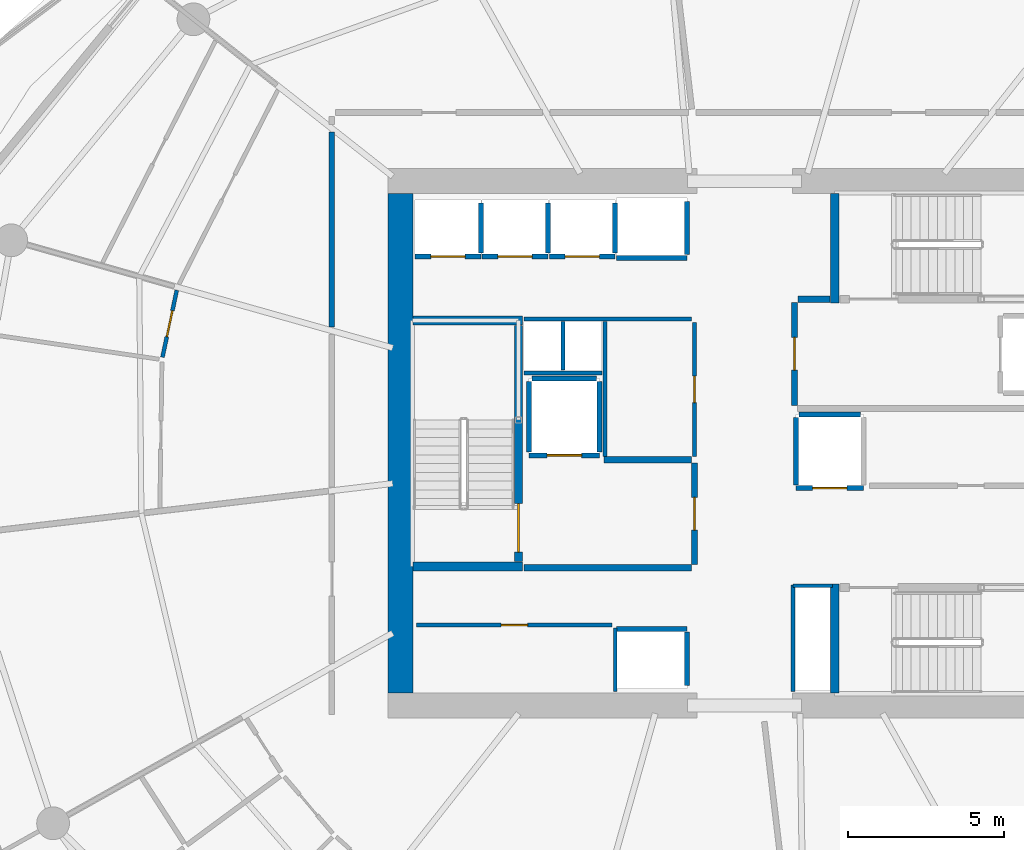
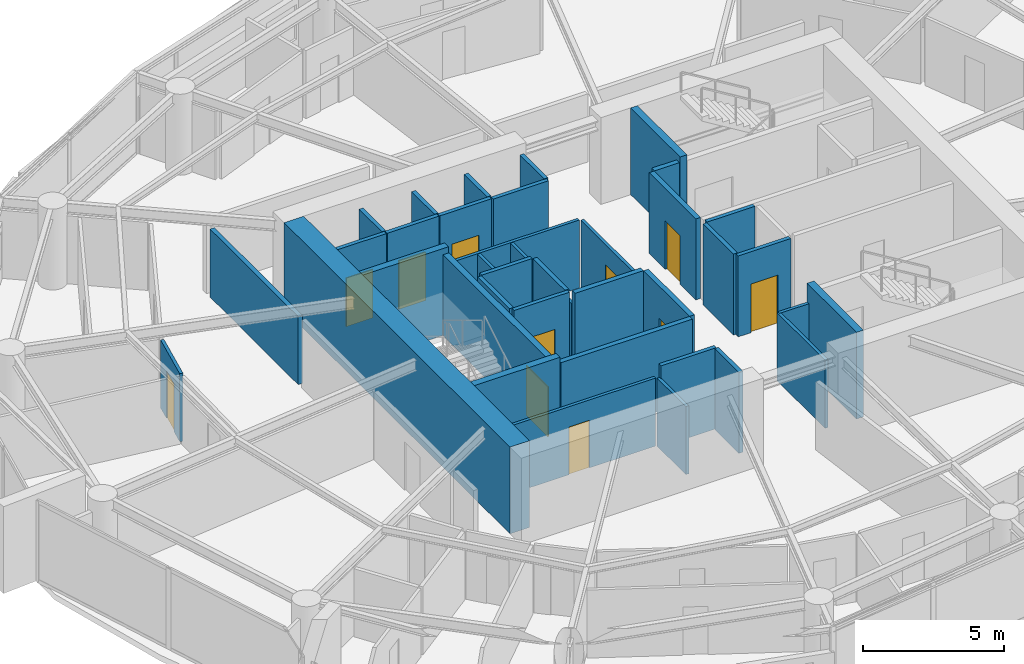
# One storey, part 12 of 20: 39 walls, 11 doors, 11 openings.
"""IFC4 building model written with IfcOpenShell, lengths in metres."""

from ifc_helpers import new_model, si_unit, direction, frame, frame_2d, origin, place, context, subcontext, project, spatial, rectangle, extrude, material, layer, layer_set, type_object, element, fill, save


model = new_model("IFC4")

# Units and contexts
model_context = context("Model", 3, precision=1e-05, world=origin(), true_north=direction((0.0, 1.0)))
body_context = subcontext(model_context, "Body", "Model", "MODEL_VIEW")
ifc_project = project(units=[si_unit("LENGTHUNIT", "METRE"), si_unit("AREAUNIT", "SQUARE_METRE"), si_unit("VOLUMEUNIT", "CUBIC_METRE"), si_unit("PLANEANGLEUNIT", "RADIAN"), si_unit("MASSUNIT", "GRAM", prefix="KILO")], contexts=[model_context])

# Site, building, storey
site_placement = place(None, origin())
site = spatial("IfcSite", under=ifc_project, at=site_placement, CompositionType="ELEMENT")
building_placement = place(site_placement, origin())
building = spatial("IfcBuilding", under=site, at=building_placement, Name="Kazma Halo Residences", CompositionType="ELEMENT")
storey_placement = place(building_placement, frame((0.0, 0.0, 161.550048828125)))
storey = spatial("IfcBuildingStorey", under=building, at=storey_placement, Name="L40", CompositionType="ELEMENT", Elevation=161.550048828125)

# Walls
ifc_material_1 = material(Name="Concrete C80/95", Category="concrete")
ifc_layer_1 = layer(ifc_material_1, 0.800048828125)
ifc_layer_set_1 = layer_set([ifc_layer_1], Name="Concrete C80/95")
wall_type_1 = type_object("IfcWallType", Name="WL-CORE-800", PredefinedType="SHEAR", material=ifc_layer_set_1)
wall_1_placement = place(storey_placement, frame((37.39990234375, 34.0, 0.0), z_axis=(0.0, 0.0, 1.0), x_axis=(0.0, 1.0, 0.0)))
element("IfcWall", 1, at=wall_1_placement, inside=storey, type_object=wall_type_1, Name="L40 central core shear wall W", PredefinedType="SHEAR", context=body_context, shape_type="SweptSolid", body=[
    extrude(rectangle(XDim=16.0, YDim=0.800048828125, at=frame_2d((8.0, 0.0))), origin(), (0.0, 0.0, 1.0), 3.75),
])
ifc_material_2 = material(Name="Concrete C60/75", Category="concrete")
ifc_layer_2 = layer(ifc_material_2, 0.280029296875)
ifc_layer_set_2 = layer_set([ifc_layer_2], Name="Concrete C60/75")
wall_type_2 = type_object("IfcWallType", Name="WL-CORE-ST-280", PredefinedType="SHEAR", material=ifc_layer_set_2)
for number, where, z_axis, x_axis, name in (
    (2, (37.800048828125, 38.06005859375, 0.0), (0.0, 0.0, 1.0), (1.0, 0.0, 0.0), "L40 stairwell bearing wall ST01-S"),
    (3, (37.800048828125, 45.93994140625, 0.0), (0.0, 0.0, 1.0), (1.0, 0.0, 0.0), "L40 stairwell bearing wall ST01-N"),
    (4, (51.31005859375, 46.5, 0.0), (0.0, 0.0, 1.0), (0.0, 1.0, 0.0), "L40 stairwell bearing wall ST02-W"),
    (5, (51.31005859375, 34.0, 0.0), (0.0, 0.0, 1.0), (0.0, 1.0, 0.0), "L40 stairwell bearing wall ST03-W"),
):
    element("IfcWall", number, at=place(storey_placement, frame(where, z_axis=z_axis, x_axis=x_axis)), inside=storey, type_object=wall_type_2, Name=name, PredefinedType="SHEAR", context=body_context, shape_type="SweptSolid", body=[
        extrude(rectangle(XDim=3.5, YDim=0.280029296875, at=frame_2d((1.75, 0.0))), origin(), (0.0, 0.0, 1.0), 3.75),
    ])
ifc_material_3 = material(Name="Acoustic Twin-Stud Gypsum")
ifc_layer_3 = layer(ifc_material_3, 0.179931640625)
ifc_layer_set_3 = layer_set([ifc_layer_3], Name="Acoustic Twin-Stud Gypsum")
wall_type_3 = type_object("IfcWallType", Name="WL-DEM-180", PredefinedType="PARTITIONING", material=ifc_layer_set_3)
wall_2_placement = place(storey_placement, frame((35.199951171875, 51.970703125, 0.0), z_axis=(0.0, 0.0, 1.0), x_axis=(0.0, -1.0, 0.0)))
element("IfcWall", 6, at=wall_2_placement, inside=storey, type_object=wall_type_3, Name="L40 Apartment 1 inner wall 5", PredefinedType="PARTITIONING", context=body_context, shape_type="SweptSolid", body=[
    extrude(rectangle(XDim=6.24072265625, YDim=0.179931640625, at=frame_2d((3.120361328125, 0.0))), origin(), (0.0, 0.0, 1.0), 2.93994140625),
])

# Wall, opening, door
ifc_material_4 = material(Name="Fire-Rated Blockwork Masonry", Category="masonry")
ifc_layer_4 = layer(ifc_material_4, 0.199951171875)
ifc_layer_set_4 = layer_set([ifc_layer_4], Name="Fire-Rated Blockwork Masonry")
wall_type_4 = type_object("IfcWallType", Name="WL-FLB-200", PredefinedType="PARTITIONING", material=ifc_layer_set_4)
wall_3_placement = place(storey_placement, frame((39.97509765625, 47.9951171875, 0.0), z_axis=(0.0, 0.0, 1.0), x_axis=(-1.0, 0.0, 0.0)))
wall_3 = element("IfcWall", 7, at=wall_3_placement, inside=storey, type_object=wall_type_4, Name="L40 lift shaft PM-01 front wall", PredefinedType="PARTITIONING", context=body_context, shape_type="SweptSolid", body=[
    extrude(rectangle(XDim=2.110107421875, YDim=0.159912109375, at=frame_2d((1.05517578125, 0.0))), origin(), (0.0, 0.0, 1.0), 3.5),
])
opening_1_placement = place(wall_3_placement, frame((0.5048828125, 0.0, 0.0)))
opening_1 = element("IfcOpeningElement", 8, at=opening_1_placement, cuts=wall_3, Name="Opening LD-PM-01", PredefinedType="OPENING", context=body_context, shape_type="SweptSolid", body=[
    extrude(rectangle(XDim=1.10009765625, YDim=2.10009765625, at=frame_2d((0.550048828125, 1.050048828125))), frame((0.0, 0.08984375, 0.0), z_axis=(0.0, -1.0, 0.0), x_axis=(1.0, 0.0, 0.0)), (0.0, 0.0, 1.0), 0.179931640625),
])
ifc_material_5 = material(Name="Stainless Steel Fire-Rated", Category="steel")
door_type_1 = type_object("IfcDoorType", Name="DR-LIFT-SLD-1100", OperationType="DOUBLE_DOOR_SLIDING", PredefinedType="DOOR", material=ifc_material_5)
door_1_placement = place(opening_1_placement, origin())
door_1 = element("IfcDoor", 9, at=door_1_placement, inside=storey, type_object=door_type_1, Name="L40 lift PM-01 sliding landing door", OperationType="DOUBLE_DOOR_SLIDING", OverallHeight=2.10009765625, OverallWidth=1.10009765625, PredefinedType="DOOR", context=body_context, shape_type="SweptSolid", body=[
    extrude(rectangle(XDim=1.10009765625, YDim=2.10009765625, at=frame_2d((0.550048828125, 1.050048828125))), frame((0.0, 0.02490234375, 0.0), z_axis=(0.0, -1.0, 0.0), x_axis=(1.0, 0.0, 0.0)), (0.0, 0.0, 1.0), 0.050048828125),
])
fill(opening_1, door_1)

# Wall
wall_4_placement = place(storey_placement, frame((39.97509765625, 48.094970703125, 0.0), z_axis=(0.0, 0.0, 1.0), x_axis=(0.0, 1.0, 0.0)))
element("IfcWall", 10, at=wall_4_placement, inside=storey, type_object=wall_type_4, Name="L40 lift shaft PM-01 side wall E", PredefinedType="PARTITIONING", context=body_context, shape_type="SweptSolid", body=[
    extrude(rectangle(XDim=1.610107421875, YDim=0.159912109375, at=frame_2d((0.80517578125, 0.0))), origin(), (0.0, 0.0, 1.0), 3.5),
])

# Wall, opening, door
wall_5_placement = place(storey_placement, frame((42.125, 47.9951171875, 0.0), z_axis=(0.0, 0.0, 1.0), x_axis=(-1.0, 0.0, 0.0)))
wall_5 = element("IfcWall", 11, at=wall_5_placement, inside=storey, type_object=wall_type_4, Name="L40 lift shaft PM-02 front wall", PredefinedType="PARTITIONING", context=body_context, shape_type="SweptSolid", body=[
    extrude(rectangle(XDim=2.110107421875, YDim=0.159912109375, at=frame_2d((1.05517578125, 0.0))), origin(), (0.0, 0.0, 1.0), 3.5),
])
opening_2_placement = place(wall_5_placement, frame((0.5048828125, 0.0, 0.0)))
opening_2 = element("IfcOpeningElement", 12, at=opening_2_placement, cuts=wall_5, Name="Opening LD-PM-02", PredefinedType="OPENING", context=body_context, shape_type="SweptSolid", body=[
    extrude(rectangle(XDim=1.10009765625, YDim=2.10009765625, at=frame_2d((0.550048828125, 1.050048828125))), frame((0.0, 0.08984375, 0.0), z_axis=(0.0, -1.0, 0.0), x_axis=(1.0, 0.0, 0.0)), (0.0, 0.0, 1.0), 0.179931640625),
])
door_2_placement = place(opening_2_placement, origin())
door_2 = element("IfcDoor", 13, at=door_2_placement, inside=storey, type_object=door_type_1, Name="L40 lift PM-02 sliding landing door", OperationType="DOUBLE_DOOR_SLIDING", OverallHeight=2.10009765625, OverallWidth=1.10009765625, PredefinedType="DOOR", context=body_context, shape_type="SweptSolid", body=[
    extrude(rectangle(XDim=1.10009765625, YDim=2.10009765625, at=frame_2d((0.550048828125, 1.050048828125))), frame((0.0, 0.02490234375, 0.0), z_axis=(0.0, -1.0, 0.0), x_axis=(1.0, 0.0, 0.0)), (0.0, 0.0, 1.0), 0.050048828125),
])
fill(opening_2, door_2)

# Wall
wall_6_placement = place(storey_placement, frame((42.125, 48.094970703125, 0.0), z_axis=(0.0, 0.0, 1.0), x_axis=(0.0, 1.0, 0.0)))
element("IfcWall", 14, at=wall_6_placement, inside=storey, type_object=wall_type_4, Name="L40 lift shaft PM-02 side wall E", PredefinedType="PARTITIONING", context=body_context, shape_type="SweptSolid", body=[
    extrude(rectangle(XDim=1.610107421875, YDim=0.159912109375, at=frame_2d((0.80517578125, 0.0))), origin(), (0.0, 0.0, 1.0), 3.5),
])

# Wall, opening, door
wall_7_placement = place(storey_placement, frame((44.27490234375, 47.9951171875, 0.0), z_axis=(0.0, 0.0, 1.0), x_axis=(-1.0, 0.0, 0.0)))
wall_7 = element("IfcWall", 15, at=wall_7_placement, inside=storey, type_object=wall_type_4, Name="L40 lift shaft PM-03 front wall", PredefinedType="PARTITIONING", context=body_context, shape_type="SweptSolid", body=[
    extrude(rectangle(XDim=2.10986328125, YDim=0.159912109375, at=frame_2d((1.054931640625, 0.0))), origin(), (0.0, 0.0, 1.0), 3.5),
])
opening_3_placement = place(wall_7_placement, frame((0.5048828125, 0.0, 0.0)))
opening_3 = element("IfcOpeningElement", 16, at=opening_3_placement, cuts=wall_7, Name="Opening LD-PM-03", PredefinedType="OPENING", context=body_context, shape_type="SweptSolid", body=[
    extrude(rectangle(XDim=1.10009765625, YDim=2.10009765625, at=frame_2d((0.550048828125, 1.050048828125))), frame((0.0, 0.08984375, 0.0), z_axis=(0.0, -1.0, 0.0), x_axis=(1.0, 0.0, 0.0)), (0.0, 0.0, 1.0), 0.179931640625),
])
door_3_placement = place(opening_3_placement, origin())
door_3 = element("IfcDoor", 17, at=door_3_placement, inside=storey, type_object=door_type_1, Name="L40 lift PM-03 sliding landing door", OperationType="DOUBLE_DOOR_SLIDING", OverallHeight=2.10009765625, OverallWidth=1.10009765625, PredefinedType="DOOR", context=body_context, shape_type="SweptSolid", body=[
    extrude(rectangle(XDim=1.10009765625, YDim=2.10009765625, at=frame_2d((0.550048828125, 1.050048828125))), frame((0.0, 0.02490234375, 0.0), z_axis=(0.0, -1.0, 0.0), x_axis=(1.0, 0.0, 0.0)), (0.0, 0.0, 1.0), 0.050048828125),
])
fill(opening_3, door_3)

# Walls
wall_8_placement = place(storey_placement, frame((44.27490234375, 48.094970703125, 0.0), z_axis=(0.0, 0.0, 1.0), x_axis=(0.0, 1.0, 0.0)))
element("IfcWall", 18, at=wall_8_placement, inside=storey, type_object=wall_type_4, Name="L40 lift shaft PM-03 side wall E", PredefinedType="PARTITIONING", context=body_context, shape_type="SweptSolid", body=[
    extrude(rectangle(XDim=1.610107421875, YDim=0.159912109375, at=frame_2d((0.80517578125, 0.0))), origin(), (0.0, 0.0, 1.0), 3.5),
])
wall_9_placement = place(storey_placement, frame((46.580078125, 47.945068359375, 0.0), z_axis=(0.0, 0.0, 1.0), x_axis=(-1.0, 0.0, 0.0)))
element("IfcWall", 19, at=wall_9_placement, inside=storey, type_object=wall_type_4, Name="L40 lift shaft PX-01 front wall", PredefinedType="PARTITIONING", context=body_context, shape_type="SweptSolid", body=[
    extrude(rectangle(XDim=2.260009765625, YDim=0.159912109375, at=frame_2d((1.1298828125, 0.0))), origin(), (0.0, 0.0, 1.0), 3.5),
])
wall_10_placement = place(storey_placement, frame((46.580078125, 48.044921875, 0.0), z_axis=(0.0, 0.0, 1.0), x_axis=(0.0, 1.0, 0.0)))
element("IfcWall", 20, at=wall_10_placement, inside=storey, type_object=wall_type_4, Name="L40 lift shaft PX-01 side wall E", PredefinedType="PARTITIONING", context=body_context, shape_type="SweptSolid", body=[
    extrude(rectangle(XDim=1.7099609375, YDim=0.159912109375, at=frame_2d((0.85498046875, 0.0))), origin(), (0.0, 0.0, 1.0), 3.5),
])
wall_11_placement = place(storey_placement, frame((44.320068359375, 36.054931640625, 0.0), z_axis=(0.0, 0.0, 1.0), x_axis=(1.0, 0.0, 0.0)))
element("IfcWall", 21, at=wall_11_placement, inside=storey, type_object=wall_type_4, Name="L40 lift shaft PX-02 front wall", PredefinedType="PARTITIONING", context=body_context, shape_type="SweptSolid", body=[
    extrude(rectangle(XDim=2.260009765625, YDim=0.159912109375, at=frame_2d((1.1298828125, 0.0))), origin(), (0.0, 0.0, 1.0), 3.5),
])
wall_12_placement = place(storey_placement, frame((46.580078125, 34.2451171875, 0.0), z_axis=(0.0, 0.0, 1.0), x_axis=(0.0, 1.0, 0.0)))
element("IfcWall", 22, at=wall_12_placement, inside=storey, type_object=wall_type_4, Name="L40 lift shaft PX-02 side wall E", PredefinedType="PARTITIONING", context=body_context, shape_type="SweptSolid", body=[
    extrude(rectangle(XDim=1.7099609375, YDim=0.159912109375, at=frame_2d((0.85498046875, 0.0))), origin(), (0.0, 0.0, 1.0), 3.5),
])

# Wall, opening, door
wall_13_placement = place(storey_placement, frame((43.780029296875, 41.6201171875, 0.0), z_axis=(0.0, 0.0, 1.0), x_axis=(-1.0, 0.0, 0.0)))
wall_13 = element("IfcWall", 23, at=wall_13_placement, inside=storey, type_object=wall_type_4, Name="L40 lift shaft FL-01 front wall", PredefinedType="PARTITIONING", context=body_context, shape_type="SweptSolid", body=[
    extrude(rectangle(XDim=2.260009765625, YDim=0.159912109375, at=frame_2d((1.1298828125, 0.0))), origin(), (0.0, 0.0, 1.0), 3.5),
])
opening_4_placement = place(wall_13_placement, frame((0.580078125, 0.0, 0.0)))
opening_4 = element("IfcOpeningElement", 24, at=opening_4_placement, cuts=wall_13, Name="Opening LD-FL-01", PredefinedType="OPENING", context=body_context, shape_type="SweptSolid", body=[
    extrude(rectangle(XDim=1.10009765625, YDim=2.10009765625, at=frame_2d((0.550048828125, 1.050048828125))), frame((0.0, 0.08984375, 0.0), z_axis=(0.0, -1.0, 0.0), x_axis=(1.0, 0.0, 0.0)), (0.0, 0.0, 1.0), 0.179931640625),
])
door_4_placement = place(opening_4_placement, origin())
door_4 = element("IfcDoor", 25, at=door_4_placement, inside=storey, type_object=door_type_1, Name="L40 lift FL-01 sliding landing door", OperationType="DOUBLE_DOOR_SLIDING", OverallHeight=2.10009765625, OverallWidth=1.10009765625, PredefinedType="DOOR", context=body_context, shape_type="SweptSolid", body=[
    extrude(rectangle(XDim=1.10009765625, YDim=2.10009765625, at=frame_2d((0.550048828125, 1.050048828125))), frame((0.0, 0.02490234375, 0.0), z_axis=(0.0, -1.0, 0.0), x_axis=(1.0, 0.0, 0.0)), (0.0, 0.0, 1.0), 0.050048828125),
])
fill(opening_4, door_4)

# Walls
for number, where, z_axis, x_axis, name in (
    (26, (43.780029296875, 41.719970703125, 0.0), (0.0, 0.0, 1.0), (0.0, 1.0, 0.0), "L40 lift shaft FL-01 side wall E"),
    (27, (41.52001953125, 41.719970703125, 0.0), (0.0, 0.0, 1.0), (0.0, 1.0, 0.0), "L40 lift shaft FL-01 side wall W"),
):
    element("IfcWall", number, at=place(storey_placement, frame(where, z_axis=z_axis, x_axis=x_axis)), inside=storey, type_object=wall_type_4, Name=name, PredefinedType="PARTITIONING", context=body_context, shape_type="SweptSolid", body=[
        extrude(rectangle(XDim=2.260009765625, YDim=0.159912109375, at=frame_2d((1.1298828125, 0.0))), origin(), (0.0, 0.0, 1.0), 3.5),
    ])
wall_14_placement = place(storey_placement, frame((41.6201171875, 44.080078125, 0.0), z_axis=(0.0, 0.0, 1.0), x_axis=(1.0, 0.0, 0.0)))
element("IfcWall", 28, at=wall_14_placement, inside=storey, type_object=wall_type_4, Name="L40 lift shaft FL-01 side wall N", PredefinedType="PARTITIONING", context=body_context, shape_type="SweptSolid", body=[
    extrude(rectangle(XDim=2.059814453125, YDim=0.159912109375, at=frame_2d((1.02978515625, 0.0))), origin(), (0.0, 0.0, 1.0), 3.5),
])

# Wall, opening, door
wall_15_placement = place(storey_placement, frame((52.22998046875, 40.570068359375, 0.0), z_axis=(0.0, 0.0, 1.0), x_axis=(-1.0, 0.0, 0.0)))
wall_15 = element("IfcWall", 29, at=wall_15_placement, inside=storey, type_object=wall_type_4, Name="L40 lift shaft SV-01 front wall", PredefinedType="PARTITIONING", context=body_context, shape_type="SweptSolid", body=[
    extrude(rectangle(XDim=2.159912109375, YDim=0.159912109375, at=frame_2d((1.080078125, 0.0))), origin(), (0.0, 0.0, 1.0), 3.5),
])
opening_5_placement = place(wall_15_placement, frame((0.530029296875, 0.0, 0.0)))
opening_5 = element("IfcOpeningElement", 30, at=opening_5_placement, cuts=wall_15, Name="Opening LD-SV-01", PredefinedType="OPENING", context=body_context, shape_type="SweptSolid", body=[
    extrude(rectangle(XDim=1.10009765625, YDim=2.10009765625, at=frame_2d((0.550048828125, 1.050048828125))), frame((0.0, 0.08984375, 0.0), z_axis=(0.0, -1.0, 0.0), x_axis=(1.0, 0.0, 0.0)), (0.0, 0.0, 1.0), 0.179931640625),
])
door_5_placement = place(opening_5_placement, origin())
door_5 = element("IfcDoor", 31, at=door_5_placement, inside=storey, type_object=door_type_1, Name="L40 lift SV-01 sliding landing door", OperationType="DOUBLE_DOOR_SLIDING", OverallHeight=2.10009765625, OverallWidth=1.10009765625, PredefinedType="DOOR", context=body_context, shape_type="SweptSolid", body=[
    extrude(rectangle(XDim=1.10009765625, YDim=2.10009765625, at=frame_2d((0.550048828125, 1.050048828125))), frame((0.0, 0.02490234375, 0.0), z_axis=(0.0, -1.0, 0.0), x_axis=(1.0, 0.0, 0.0)), (0.0, 0.0, 1.0), 0.050048828125),
])
fill(opening_5, door_5)

# Walls
wall_16_placement = place(storey_placement, frame((50.070068359375, 40.669921875, 0.0), z_axis=(0.0, 0.0, 1.0), x_axis=(0.0, 1.0, 0.0)))
element("IfcWall", 32, at=wall_16_placement, inside=storey, type_object=wall_type_4, Name="L40 lift shaft SV-01 side wall W", PredefinedType="PARTITIONING", context=body_context, shape_type="SweptSolid", body=[
    extrude(rectangle(XDim=2.16015625, YDim=0.159912109375, at=frame_2d((1.080078125, 0.0))), origin(), (0.0, 0.0, 1.0), 3.5),
])
wall_17_placement = place(storey_placement, frame((50.169921875, 42.929931640625, 0.0), z_axis=(0.0, 0.0, 1.0), x_axis=(1.0, 0.0, 0.0)))
element("IfcWall", 33, at=wall_17_placement, inside=storey, type_object=wall_type_4, Name="L40 lift shaft SV-01 side wall N", PredefinedType="PARTITIONING", context=body_context, shape_type="SweptSolid", body=[
    extrude(rectangle(XDim=1.9599609375, YDim=0.159912109375, at=frame_2d((0.97998046875, 0.0))), origin(), (0.0, 0.0, 1.0), 3.5),
])
wall_18_placement = place(storey_placement, frame((41.35009765625, 38.02001953125, 0.0), z_axis=(0.0, 0.0, 1.0), x_axis=(1.0, 0.0, 0.0)))
element("IfcWall", 34, at=wall_18_placement, inside=storey, type_object=wall_type_4, Name="L40 west firefighting lobby south smoke wall", PredefinedType="PARTITIONING", context=body_context, shape_type="SweptSolid", body=[
    extrude(rectangle(XDim=5.369873046875, YDim=0.199951171875, at=frame_2d((2.68505859375, 0.0))), origin(), (0.0, 0.0, 1.0), 3.5),
])
wall_19_placement = place(storey_placement, frame((43.919921875, 41.47998046875, 0.0), z_axis=(0.0, 0.0, 1.0), x_axis=(1.0, 0.0, 0.0)))
element("IfcWall", 35, at=wall_19_placement, inside=storey, type_object=wall_type_4, Name="L40 west firefighting lobby north smoke wall", PredefinedType="PARTITIONING", context=body_context, shape_type="SweptSolid", body=[
    extrude(rectangle(XDim=2.800048828125, YDim=0.199951171875, at=frame_2d((1.39990234375, 0.0))), origin(), (0.0, 0.0, 1.0), 3.5),
])

# Wall, opening, door
wall_20_placement = place(storey_placement, frame((46.820068359375, 38.1201171875, 0.0), z_axis=(0.0, 0.0, 1.0), x_axis=(0.0, 1.0, 0.0)))
wall_20 = element("IfcWall", 36, at=wall_20_placement, inside=storey, type_object=wall_type_4, Name="L40 west firefighting lobby smoke wall", PredefinedType="PARTITIONING", context=body_context, shape_type="SweptSolid", body=[
    extrude(rectangle(XDim=3.259765625, YDim=0.199951171875, at=frame_2d((1.6298828125, 0.0))), origin(), (0.0, 0.0, 1.0), 3.5),
])
opening_6_placement = place(wall_20_placement, frame((1.10498046875, 0.0, 0.0)))
opening_6 = element("IfcOpeningElement", 37, at=opening_6_placement, cuts=wall_20, Name="Opening D-FLW", PredefinedType="OPENING", context=body_context, shape_type="SweptSolid", body=[
    extrude(rectangle(XDim=1.050048828125, YDim=2.10009765625, at=frame_2d((0.52490234375, 1.050048828125))), frame((0.0, 0.10986328125, 0.0), z_axis=(0.0, -1.0, 0.0), x_axis=(1.0, 0.0, 0.0)), (0.0, 0.0, 1.0), 0.219970703125),
])
ifc_material_6 = material(Name="Fire-Rated Steel Leaf", Category="steel")
door_type_2 = type_object("IfcDoorType", Name="DR-FD90-1050", OperationType="NOTDEFINED", PredefinedType="DOOR", material=ifc_material_6)
door_6_placement = place(opening_6_placement, origin())
door_6 = element("IfcDoor", 38, at=door_6_placement, inside=storey, type_object=door_type_2, Name="L40 west firefighting lobby smoke door", OperationType="SINGLE_SWING_LEFT", OverallHeight=2.10009765625, OverallWidth=1.050048828125, PredefinedType="DOOR", context=body_context, shape_type="SweptSolid", body=[
    extrude(rectangle(XDim=1.050048828125, YDim=2.10009765625, at=frame_2d((0.52490234375, 1.050048828125))), frame((0.0, 0.02490234375, 0.0), z_axis=(0.0, -1.0, 0.0), x_axis=(1.0, 0.0, 0.0)), (0.0, 0.0, 1.0), 0.050048828125),
])
fill(opening_6, door_6)

# Wall
wall_21_placement = place(storey_placement, frame((50.139892578125, 46.6201171875, 0.0), z_axis=(0.0, 0.0, 1.0), x_axis=(1.0, 0.0, 0.0)))
element("IfcWall", 39, at=wall_21_placement, inside=storey, type_object=wall_type_4, Name="L40 east firefighting lobby north closure wall", PredefinedType="PARTITIONING", context=body_context, shape_type="SweptSolid", body=[
    extrude(rectangle(XDim=1.02001953125, YDim=0.199951171875, at=frame_2d((0.510009765625, 0.0))), origin(), (0.0, 0.0, 1.0), 3.5),
])

# Wall, opening, door
wall_22_placement = place(storey_placement, frame((50.02001953125, 43.219970703125, 0.0), z_axis=(0.0, 0.0, 1.0), x_axis=(0.0, 1.0, 0.0)))
wall_22 = element("IfcWall", 40, at=wall_22_placement, inside=storey, type_object=wall_type_4, Name="L40 east firefighting lobby smoke wall", PredefinedType="PARTITIONING", context=body_context, shape_type="SweptSolid", body=[
    extrude(rectangle(XDim=3.300048828125, YDim=0.199951171875, at=frame_2d((1.64990234375, 0.0))), origin(), (0.0, 0.0, 1.0), 3.5),
])
opening_7_placement = place(wall_22_placement, frame((1.125, 0.0, 0.0)))
opening_7 = element("IfcOpeningElement", 41, at=opening_7_placement, cuts=wall_22, Name="Opening D-FLE", PredefinedType="OPENING", context=body_context, shape_type="SweptSolid", body=[
    extrude(rectangle(XDim=1.050048828125, YDim=2.10009765625, at=frame_2d((0.52490234375, 1.050048828125))), frame((0.0, 0.10986328125, 0.0), z_axis=(0.0, -1.0, 0.0), x_axis=(1.0, 0.0, 0.0)), (0.0, 0.0, 1.0), 0.219970703125),
])
door_7_placement = place(opening_7_placement, origin())
door_7 = element("IfcDoor", 42, at=door_7_placement, inside=storey, type_object=door_type_2, Name="L40 east firefighting lobby smoke door", OperationType="SINGLE_SWING_RIGHT", OverallHeight=2.10009765625, OverallWidth=1.050048828125, PredefinedType="DOOR", context=body_context, shape_type="SweptSolid", body=[
    extrude(rectangle(XDim=1.050048828125, YDim=2.10009765625, at=frame_2d((0.52490234375, 1.050048828125))), frame((0.0, 0.02490234375, 0.0), z_axis=(0.0, -1.0, 0.0), x_axis=(1.0, 0.0, 0.0)), (0.0, 0.0, 1.0), 0.050048828125),
])
fill(opening_7, door_7)

# Wall
ifc_material_7 = material(Name="Gypsum Plasterboard Partition")
ifc_layer_5 = layer(ifc_material_7, 0.125)
ifc_layer_set_5 = layer_set([ifc_layer_5], Name="Gypsum Plasterboard Partition")
wall_type_5 = type_object("IfcWallType", Name="WL-PART-125", PredefinedType="PARTITIONING", material=ifc_layer_set_5)
wall_23_placement = place(storey_placement, frame((44.280029296875, 34.050048828125, 0.0), z_axis=(0.0, 0.0, 1.0), x_axis=(0.0, 1.0, 0.0)))
element("IfcWall", 43, at=wall_23_placement, inside=storey, type_object=wall_type_5, Name="L40 reclaimed south east wall", PredefinedType="PARTITIONING", context=body_context, shape_type="SweptSolid", body=[
    extrude(rectangle(XDim=2.030029296875, YDim=0.125, at=frame_2d((1.01513671875, 0.0))), origin(), (0.0, 0.0, 1.0), 2.93994140625),
])

# Wall, opening, door
wall_24_placement = place(storey_placement, frame((37.919921875, 36.179931640625, 0.0), z_axis=(0.0, 0.0, 1.0), x_axis=(1.0, 0.0, 0.0)))
wall_24 = element("IfcWall", 44, at=wall_24_placement, inside=storey, type_object=wall_type_5, Name="L40 reclaimed south front wall", PredefinedType="PARTITIONING", context=body_context, shape_type="SweptSolid", body=[
    extrude(rectangle(XDim=6.260009765625, YDim=0.125, at=frame_2d((3.1298828125, 0.0))), origin(), (0.0, 0.0, 1.0), 2.93994140625),
])
opening_8_placement = place(wall_24_placement, frame((2.705078125, 0.0, 0.0)))
opening_8 = element("IfcOpeningElement", 45, at=opening_8_placement, cuts=wall_24, Name="Opening DS-850", PredefinedType="OPENING", context=body_context, shape_type="SweptSolid", body=[
    extrude(rectangle(XDim=0.85009765625, YDim=2.06005859375, at=frame_2d((0.425048828125, 1.030029296875))), frame((0.0, 0.072509765625, 0.0), z_axis=(0.0, -1.0, 0.0), x_axis=(1.0, 0.0, 0.0)), (0.0, 0.0, 1.0), 0.14501953125),
])
ifc_material_8 = material(Name="Painted Steel Access Leaf", Category="steel")
door_type_3 = type_object("IfcDoorType", Name="DR-SVC-850", OperationType="NOTDEFINED", PredefinedType="DOOR", material=ifc_material_8)
door_8_placement = place(opening_8_placement, origin())
door_8 = element("IfcDoor", 46, at=door_8_placement, inside=storey, type_object=door_type_3, Name="L40 reclaimed south service door", OperationType="SINGLE_SWING_LEFT", OverallHeight=2.06005859375, OverallWidth=0.85009765625, PredefinedType="DOOR", context=body_context, shape_type="SweptSolid", body=[
    extrude(rectangle(XDim=0.85009765625, YDim=2.06005859375, at=frame_2d((0.425048828125, 1.030029296875))), frame((0.0, 0.02490234375, 0.0), z_axis=(0.0, -1.0, 0.0), x_axis=(1.0, 0.0, 0.0)), (0.0, 0.0, 1.0), 0.050048828125),
])
fill(opening_8, door_8)

# Walls
wall_25_placement = place(storey_placement, frame((41.360107421875, 45.97998046875, 0.0), z_axis=(0.0, 0.0, 1.0), x_axis=(1.0, 0.0, 0.0)))
element("IfcWall", 47, at=wall_25_placement, inside=storey, type_object=wall_type_5, Name="L40 core north riser wall", PredefinedType="PARTITIONING", context=body_context, shape_type="SweptSolid", body=[
    extrude(rectangle(XDim=5.35986328125, YDim=0.125, at=frame_2d((2.679931640625, 0.0))), origin(), (0.0, 0.0, 1.0), 2.93994140625),
])
wall_26_placement = place(storey_placement, frame((41.360107421875, 44.260009765625, 0.0), z_axis=(0.0, 0.0, 1.0), x_axis=(1.0, 0.0, 0.0)))
element("IfcWall", 48, at=wall_26_placement, inside=storey, type_object=wall_type_5, Name="L40 core riser south wall", PredefinedType="PARTITIONING", context=body_context, shape_type="SweptSolid", body=[
    extrude(rectangle(XDim=2.5, YDim=0.125, at=frame_2d((1.25, 0.0))), origin(), (0.0, 0.0, 1.0), 2.93994140625),
])
wall_27_placement = place(storey_placement, frame((42.60009765625, 44.35009765625, 0.0), z_axis=(0.0, 0.0, 1.0), x_axis=(0.0, 1.0, 0.0)))
element("IfcWall", 49, at=wall_27_placement, inside=storey, type_object=wall_type_5, Name="L40 core riser divider wall", PredefinedType="PARTITIONING", context=body_context, shape_type="SweptSolid", body=[
    extrude(rectangle(XDim=1.5498046875, YDim=0.125, at=frame_2d((0.77490234375, 0.0))), origin(), (0.0, 0.0, 1.0), 2.93994140625),
])
wall_28_placement = place(storey_placement, frame((49.97998046875, 34.06005859375, 0.0), z_axis=(0.0, 0.0, 1.0), x_axis=(0.0, 1.0, 0.0)))
element("IfcWall", 50, at=wall_28_placement, inside=storey, type_object=wall_type_5, Name="L40 standpipe riser wall", PredefinedType="PARTITIONING", context=body_context, shape_type="SweptSolid", body=[
    extrude(rectangle(XDim=3.39990234375, YDim=0.125, at=frame_2d((1.699951171875, 0.0))), origin(), (0.0, 0.0, 1.0), 2.93994140625),
])
wall_29_placement = place(storey_placement, frame((49.97998046875, 37.43994140625, 0.0), z_axis=(0.0, 0.0, 1.0), x_axis=(1.0, 0.0, 0.0)))
element("IfcWall", 51, at=wall_29_placement, inside=storey, type_object=wall_type_5, Name="L40 standpipe riser north wall", PredefinedType="PARTITIONING", context=body_context, shape_type="SweptSolid", body=[
    extrude(rectangle(XDim=1.260009765625, YDim=0.125, at=frame_2d((0.6298828125, 0.0))), origin(), (0.0, 0.0, 1.0), 2.93994140625),
])
wall_30_placement = place(storey_placement, frame((43.949951171875, 41.580078125, 0.0), z_axis=(0.0, 0.0, 1.0), x_axis=(0.0, 1.0, 0.0)))
element("IfcWall", 52, at=wall_30_placement, inside=storey, type_object=wall_type_5, Name="L40 core service west wall", PredefinedType="PARTITIONING", context=body_context, shape_type="SweptSolid", body=[
    extrude(rectangle(XDim=4.31982421875, YDim=0.125, at=frame_2d((2.159912109375, 0.0))), origin(), (0.0, 0.0, 1.0), 2.93994140625),
])

# Wall, opening, door
wall_31_placement = place(storey_placement, frame((46.820068359375, 41.580078125, 0.0), z_axis=(0.0, 0.0, 1.0), x_axis=(0.0, 1.0, 0.0)))
wall_31 = element("IfcWall", 53, at=wall_31_placement, inside=storey, type_object=wall_type_5, Name="L40 core service room east wall", PredefinedType="PARTITIONING", context=body_context, shape_type="SweptSolid", body=[
    extrude(rectangle(XDim=4.2998046875, YDim=0.125, at=frame_2d((2.14990234375, 0.0))), origin(), (0.0, 0.0, 1.0), 2.93994140625),
])
opening_9_placement = place(wall_31_placement, frame((1.72509765625, 0.0, 0.0)))
opening_9 = element("IfcOpeningElement", 54, at=opening_9_placement, cuts=wall_31, Name="Opening DS-850", PredefinedType="OPENING", context=body_context, shape_type="SweptSolid", body=[
    extrude(rectangle(XDim=0.85009765625, YDim=2.06005859375, at=frame_2d((0.425048828125, 1.030029296875))), frame((0.0, 0.072509765625, 0.0), z_axis=(0.0, -1.0, 0.0), x_axis=(1.0, 0.0, 0.0)), (0.0, 0.0, 1.0), 0.14501953125),
])
door_9_placement = place(opening_9_placement, origin())
door_9 = element("IfcDoor", 55, at=door_9_placement, inside=storey, type_object=door_type_3, Name="L40 core service room door", OperationType="SINGLE_SWING_LEFT", OverallHeight=2.06005859375, OverallWidth=0.85009765625, PredefinedType="DOOR", context=body_context, shape_type="SweptSolid", body=[
    extrude(rectangle(XDim=0.85009765625, YDim=2.06005859375, at=frame_2d((0.425048828125, 1.030029296875))), frame((0.0, 0.02490234375, 0.0), z_axis=(0.0, -1.0, 0.0), x_axis=(1.0, 0.0, 0.0)), (0.0, 0.0, 1.0), 0.050048828125),
])
fill(opening_9, door_9)

wall_32_placement = place(storey_placement, frame((30.232421875, 46.9072265625, 0.0), z_axis=(0.0, 0.0, 1.0), x_axis=(-0.208920938613, -0.977932534181, 0.0)))
wall_32 = element("IfcWall", 56, at=wall_32_placement, inside=storey, type_object=wall_type_5, Name="L40 Apartment 1 North Wine Pantry Store hall wall", PredefinedType="PARTITIONING", context=body_context, shape_type="SweptSolid", body=[
    extrude(rectangle(XDim=2.193359375, YDim=0.125, at=frame_2d((1.0966796875, 0.0))), origin(), (0.0, 0.0, 1.0), 2.93994140625),
])
opening_10_placement = place(wall_32_placement, frame((0.671630859375, 0.0, 0.0)))
opening_10 = element("IfcOpeningElement", 57, at=opening_10_placement, cuts=wall_32, Name="Opening DB-900", PredefinedType="OPENING", context=body_context, shape_type="SweptSolid", body=[
    extrude(rectangle(XDim=0.85009765625, YDim=2.06005859375, at=frame_2d((0.425048828125, 1.030029296875))), frame((0.0, 0.072509765625, 0.0), z_axis=(0.0, -1.0, 0.0), x_axis=(1.0, 0.0, 0.0)), (0.0, 0.0, 1.0), 0.14501953125),
])
ifc_material_9 = material(Name="Moisture-Sealed Timber Leaf", Category="wood")
door_type_4 = type_object("IfcDoorType", Name="DR-BTH-900", OperationType="NOTDEFINED", PredefinedType="DOOR", material=ifc_material_9)
door_10_placement = place(opening_10_placement, origin())
door_10 = element("IfcDoor", 58, at=door_10_placement, inside=storey, type_object=door_type_4, Name="L40 Apartment 1 North Wine Pantry Store door", OperationType="SINGLE_SWING_LEFT", OverallHeight=2.06005859375, OverallWidth=0.85009765625, PredefinedType="DOOR", context=body_context, shape_type="SweptSolid", body=[
    extrude(rectangle(XDim=0.85009765625, YDim=2.06005859375, at=frame_2d((0.425048828125, 1.030029296875))), frame((0.0, 0.02490234375, 0.0), z_axis=(0.0, -1.0, 0.0), x_axis=(1.0, 0.0, 0.0)), (0.0, 0.0, 1.0), 0.050048828125),
])
fill(opening_10, door_10)

ifc_material_10 = material(Name="Concrete C50/60", Category="concrete")
ifc_layer_6 = layer(ifc_material_10, 0.25)
ifc_layer_set_6 = layer_set([ifc_layer_6], Name="Concrete C50/60")
wall_type_6 = type_object("IfcWallType", Name="WL-SHF-250", PredefinedType="SOLIDWALL", material=ifc_layer_set_6)
wall_33_placement = place(storey_placement, frame((41.179931640625, 38.219970703125, 0.0), z_axis=(0.0, 0.0, 1.0), x_axis=(0.0, 1.0, 0.0)))
wall_33 = element("IfcWall", 59, at=wall_33_placement, inside=storey, type_object=wall_type_6, Name="L40 exit stair ST-01 enclosure wall", PredefinedType="SOLIDWALL", context=body_context, shape_type="SweptSolid", body=[
    extrude(rectangle(XDim=7.56005859375, YDim=0.25, at=frame_2d((3.780029296875, 0.0))), origin(), (0.0, 0.0, 1.0), 3.5),
])
opening_11_placement = place(wall_33_placement, frame((0.300048828125, 0.0, 0.0)))
opening_11 = element("IfcOpeningElement", 60, at=opening_11_placement, cuts=wall_33, Name="Opening D-ST1", PredefinedType="OPENING", context=body_context, shape_type="SweptSolid", body=[
    extrude(rectangle(XDim=1.550048828125, YDim=2.14990234375, at=frame_2d((0.77490234375, 1.074951171875))), frame((0.0, 0.135009765625, 0.0), z_axis=(0.0, -1.0, 0.0), x_axis=(1.0, 0.0, 0.0)), (0.0, 0.0, 1.0), 0.27001953125),
])
ifc_material_11 = material(Name="Fire-Rated Double Steel Leaf", Category="steel")
door_type_5 = type_object("IfcDoorType", Name="DR-FD90-1550", OperationType="NOTDEFINED", PredefinedType="DOOR", material=ifc_material_11)
door_11_placement = place(opening_11_placement, origin())
door_11 = element("IfcDoor", 61, at=door_11_placement, inside=storey, type_object=door_type_5, Name="L40 exit stair ST-01 fire door", OperationType="DOUBLE_DOOR_SINGLE_SWING", OverallHeight=2.14990234375, OverallWidth=1.550048828125, PredefinedType="DOOR", context=body_context, shape_type="SweptSolid", body=[
    extrude(rectangle(XDim=1.550048828125, YDim=2.14990234375, at=frame_2d((0.77490234375, 1.074951171875))), frame((0.0, 0.02490234375, 0.0), z_axis=(0.0, -1.0, 0.0), x_axis=(1.0, 0.0, 0.0)), (0.0, 0.0, 1.0), 0.050048828125),
])
fill(opening_11, door_11)

save(model, "model.ifc")
